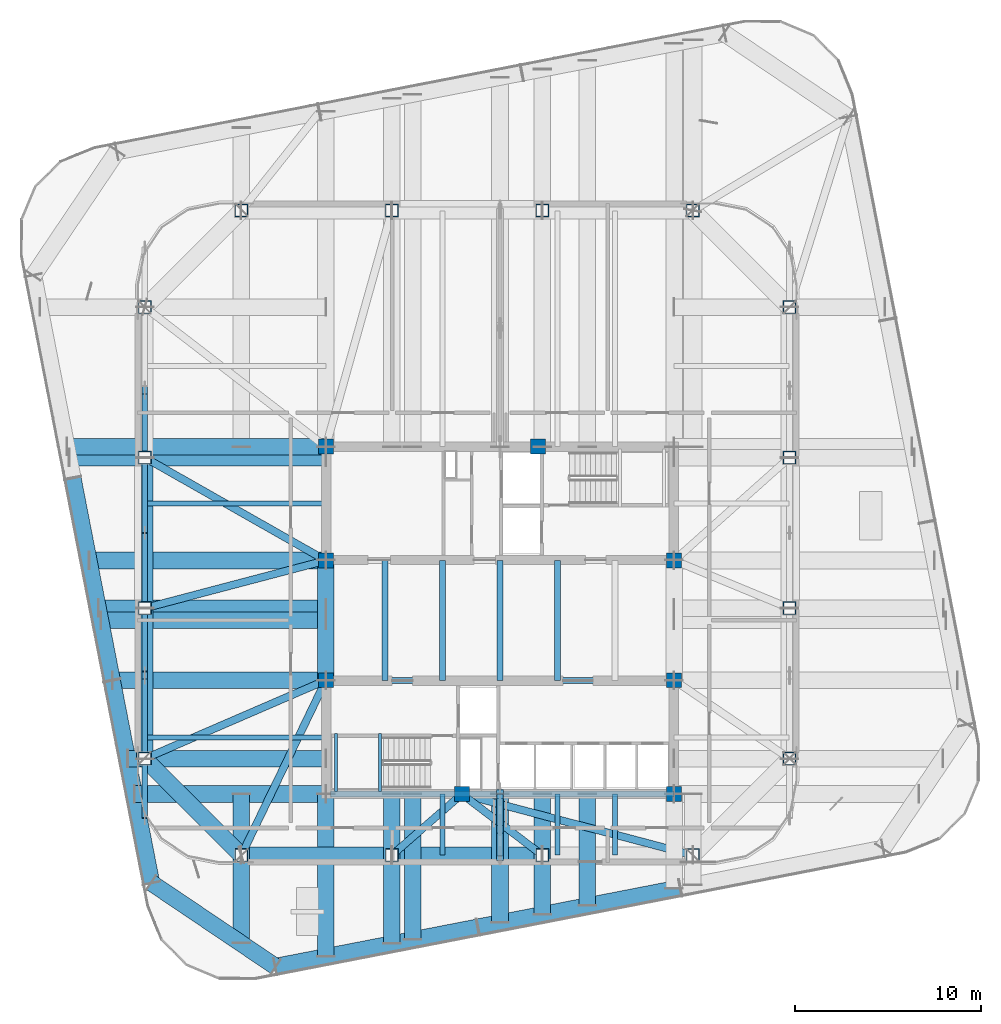
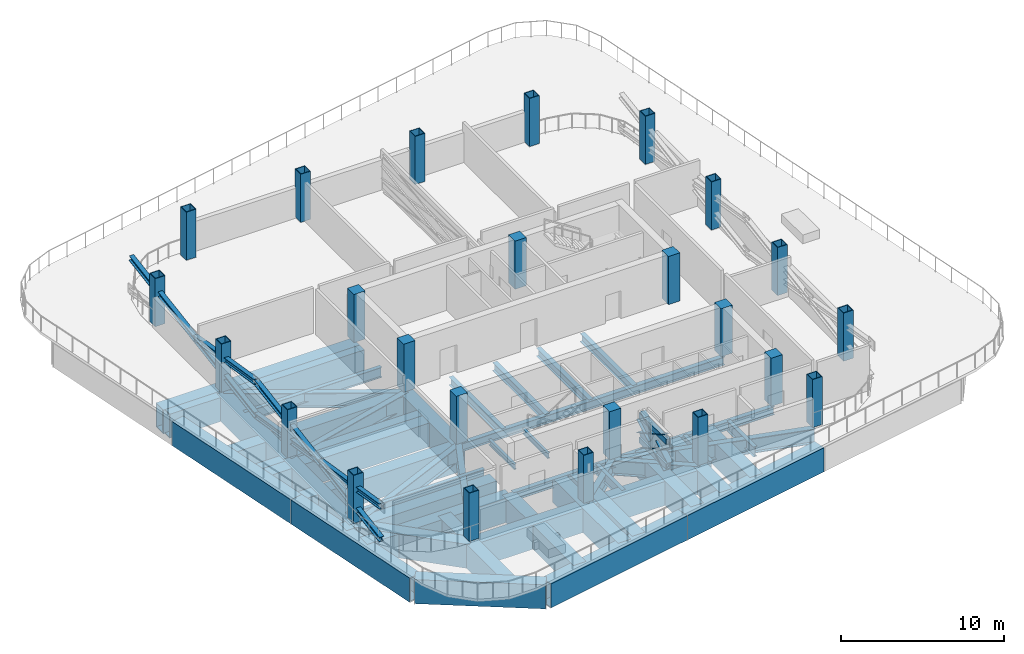
# One storey, part 1 of 14: 46 beams, 24 columns, 10 members.
"""IFC4 building model written with IfcOpenShell, lengths in metres."""

from ifc_helpers import new_model, si_unit, direction, frame, origin, origin_2d, place, context, subcontext, project, spatial, rectangle, hollow_rectangle, i_section, extrude, material, material_profile, profile_set, type_object, element, save


model = new_model("IFC4")

# Units and contexts
model_context = context("Model", 3, precision=1e-05, world=origin(), true_north=direction((0.0, 1.0)))
body_context = subcontext(model_context, "Body", "Model", "MODEL_VIEW")
ifc_project = project(units=[si_unit("LENGTHUNIT", "METRE"), si_unit("AREAUNIT", "SQUARE_METRE"), si_unit("VOLUMEUNIT", "CUBIC_METRE"), si_unit("PLANEANGLEUNIT", "RADIAN"), si_unit("MASSUNIT", "GRAM", prefix="KILO")], contexts=[model_context])

# Site, building, storey
site_placement = place(None, origin())
site = spatial("IfcSite", under=ifc_project, at=site_placement, CompositionType="ELEMENT")
building_placement = place(site_placement, origin())
building = spatial("IfcBuilding", under=site, at=building_placement, Name="Qhalaya Broadcast Tower", CompositionType="ELEMENT")
storey_placement = place(building_placement, frame((0.0, 0.0, 144.60009765625)))
storey = spatial("IfcBuildingStorey", under=building, at=storey_placement, Name="L42", CompositionType="ELEMENT", Elevation=144.60009765625)

# Columns
ifc_material_1 = material(Name="Concrete C50/60", Category="concrete")
ifc_material_profile_1 = material_profile(ifc_material_1, rectangle(XDim=0.800048828125, YDim=0.800048828125, at=origin_2d()), Name="RC-COL 800x800")
ifc_profile_set_1 = profile_set([ifc_material_profile_1], Name="Concrete C50/60")
column_type_1 = type_object("IfcColumnType", Name="RC Upper Column C10", PredefinedType="COLUMN", material=ifc_profile_set_1)
for number, where, z_axis, x_axis, name in (
    (1, (-9.375, 9.949951171875, 0.0), (0.0, 0.0, 1.0), (1.0, 0.0, 0.0), "L42 Column COL-CC1"),
    (2, (2.050048828125, 9.949951171875, 0.0), (0.0, 0.0, 1.0), (1.0, 0.0, 0.0), "L42 Column COL-CC2"),
    (3, (-9.375, 3.824951171875, 0.0), (0.0, 0.0, 1.0), (1.0, 0.0, 0.0), "L42 Column COL-CC3"),
    (4, (9.375, 3.824951171875, 0.0), (0.0, 0.0, 1.0), (1.0, 0.0, 0.0), "L42 Column COL-CC4"),
    (5, (-9.375, -2.625, 0.0), (0.0, 0.0, 1.0), (1.0, 0.0, 0.0), "L42 Column COL-CC5"),
    (6, (9.375, -2.625, 0.0), (0.0, 0.0, 1.0), (1.0, 0.0, 0.0), "L42 Column COL-CC6"),
    (7, (-2.050048828125, -8.75, 0.0), (0.0, 0.0, 1.0), (1.0, 0.0, 0.0), "L42 Column COL-CC7"),
    (8, (9.375, -8.75, 0.0), (0.0, 0.0, 1.0), (1.0, 0.0, 0.0), "L42 Column COL-CC8"),
):
    element("IfcColumn", number, at=place(storey_placement, frame(where, z_axis=z_axis, x_axis=x_axis)), inside=storey, type_object=column_type_1, Name=name, PredefinedType="COLUMN", context=body_context, shape_type="SweptSolid", body=[
        extrude(rectangle(XDim=0.800048828125, YDim=0.800048828125, at=origin_2d()), origin(), (0.0, 0.0, 1.0), 3.599853515625),
    ])
ifc_material_2 = material(Name="Structural Steel ASTM A572 Grade 50", Category="steel")
ifc_material_profile_2 = material_profile(ifc_material_2, hollow_rectangle(XDim=0.699951171875, YDim=0.699951171875, WallThickness=0.044921875, at=origin_2d()), Name="BOX 700x700x45")
ifc_profile_set_2 = profile_set([ifc_material_profile_2], Name="Structural Steel ASTM A572 Grade 50")
column_type_2 = type_object("IfcColumnType", Name="Steel Box Column C04", PredefinedType="COLUMN", material=ifc_profile_set_2)
for number, where, z_axis, x_axis, name in (
    (9, (-13.919921875, -12.0400390625, 0.0), (0.0, 0.0, 1.0), (1.0, 0.0, 0.0), "L42 Column COL-NK01"),
    (10, (-5.820068359375, -12.0400390625, 0.0), (0.0, 0.0, 1.0), (1.0, 0.0, 0.0), "L42 Column COL-NK02"),
    (11, (2.280029296875, -12.0400390625, 0.0), (0.0, 0.0, 1.0), (1.0, 0.0, 0.0), "L42 Column COL-NK03"),
    (12, (10.3798828125, -12.0400390625, 0.0), (0.0, 0.0, 1.0), (1.0, 0.0, 0.0), "L42 Column COL-NK04"),
    (13, (15.580078125, -6.840087890625, 0.0), (0.0, 0.0, 1.0), (0.0, 1.0, 0.0), "L42 Column COL-NK05"),
    (14, (15.580078125, 1.260009765625, 0.0), (0.0, 0.0, 1.0), (0.0, 1.0, 0.0), "L42 Column COL-NK06"),
    (15, (15.580078125, 9.360107421875, 0.0), (0.0, 0.0, 1.0), (0.0, 1.0, 0.0), "L42 Column COL-NK07"),
    (16, (15.580078125, 17.4599609375, 0.0), (0.0, 0.0, 1.0), (0.0, 1.0, 0.0), "L42 Column COL-NK08"),
    (17, (10.3798828125, 22.659912109375, 0.0), (0.0, 0.0, 1.0), (1.0, 0.0, 0.0), "L42 Column COL-NK09"),
    (18, (2.280029296875, 22.659912109375, 0.0), (0.0, 0.0, 1.0), (1.0, 0.0, 0.0), "L42 Column COL-NK10"),
    (19, (-5.820068359375, 22.659912109375, 0.0), (0.0, 0.0, 1.0), (1.0, 0.0, 0.0), "L42 Column COL-NK11"),
    (20, (-13.919921875, 22.659912109375, 0.0), (0.0, 0.0, 1.0), (1.0, 0.0, 0.0), "L42 Column COL-NK12"),
    (21, (-19.1201171875, 17.4599609375, 0.0), (0.0, 0.0, 1.0), (0.0, 1.0, 0.0), "L42 Column COL-NK13"),
    (22, (-19.1201171875, 9.360107421875, 0.0), (0.0, 0.0, 1.0), (0.0, 1.0, 0.0), "L42 Column COL-NK14"),
    (23, (-19.1201171875, 1.260009765625, 0.0), (0.0, 0.0, 1.0), (0.0, 1.0, 0.0), "L42 Column COL-NK15"),
    (24, (-19.1201171875, -6.840087890625, 0.0), (0.0, 0.0, 1.0), (0.0, 1.0, 0.0), "L42 Column COL-NK16"),
):
    element("IfcColumn", number, at=place(storey_placement, frame(where, z_axis=z_axis, x_axis=x_axis)), inside=storey, type_object=column_type_2, Name=name, PredefinedType="COLUMN", context=body_context, shape_type="SweptSolid", body=[
        extrude(hollow_rectangle(XDim=0.699951171875, YDim=0.699951171875, WallThickness=0.044921875, at=origin_2d()), origin(), (0.0, 0.0, 1.0), 3.599853515625),
    ])

# Members
ifc_material_profile_3 = material_profile(ifc_material_2, i_section(OverallWidth=0.31298828125, OverallDepth=0.3798828125, WebThickness=0.01806640625, FlangeThickness=0.028076171875, at=origin_2d()), Name="W12X120")
ifc_profile_set_3 = profile_set([ifc_material_profile_3], Name="Structural Steel ASTM A572 Grade 50")
member_type_1 = type_object("IfcMemberType", Name="Belt-Truss Diagonal Brace OB2", PredefinedType="BRACE", material=ifc_profile_set_3)
member_1_placement = place(storey_placement, frame((-19.1201171875, -10.0400390625, 0.449951171875), z_axis=(0.0, 0.987199046505, 0.159493080039), x_axis=(-1.0, 0.0, 0.0)))
element("IfcMember", 25, at=member_1_placement, inside=storey, type_object=member_type_1, Name="L42 Belt Truss Continuous Brace W1A", PredefinedType="BRACE", context=body_context, shape_type="SweptSolid", body=[
    extrude(i_section(OverallWidth=0.31298828125, OverallDepth=0.3798828125, WebThickness=0.01806640625, FlangeThickness=0.028076171875, at=origin_2d()), origin(), (0.0, 0.0, 1.0), 15.549072265625),
])
for number, where, z_axis, x_axis, name in (
    (26, (-19.1201171875, -10.0400390625, 2.929931640625), (0.0, 0.987200117678, -0.159486449757), (-1.0, 0.0, 0.0), "L42 Belt Truss Split Brace W1B1"),
    (27, (-19.1201171875, -2.147705078125, 1.65478515625), (0.0, 0.987200117678, -0.159486449757), (-1.0, 0.0, 0.0), "L42 Belt Truss Split Brace W1B2"),
):
    element("IfcMember", number, at=place(storey_placement, frame(where, z_axis=z_axis, x_axis=x_axis)), inside=storey, type_object=member_type_1, Name=name, PredefinedType="BRACE", context=body_context, shape_type="SweptSolid", body=[
        extrude(i_section(OverallWidth=0.31298828125, OverallDepth=0.3798828125, WebThickness=0.01806640625, FlangeThickness=0.028076171875, at=origin_2d()), origin(), (0.0, 0.0, 1.0), 7.554443359375),
    ])
member_2_placement = place(storey_placement, frame((-19.1201171875, 5.31005859375, 0.449951171875), z_axis=(0.0, 0.987198647087, 0.159495552258), x_axis=(-1.0, 0.0, 0.0)))
element("IfcMember", 28, at=member_2_placement, inside=storey, type_object=member_type_1, Name="L42 Belt Truss Continuous Brace W2A", PredefinedType="BRACE", context=body_context, shape_type="SweptSolid", body=[
    extrude(i_section(OverallWidth=0.31298828125, OverallDepth=0.3798828125, WebThickness=0.01806640625, FlangeThickness=0.028076171875, at=origin_2d()), origin(), (0.0, 0.0, 1.0), 15.548828125),
])
member_3_placement = place(storey_placement, frame((-19.1201171875, 5.31005859375, 2.929931640625), z_axis=(0.0, 0.987200117678, -0.159486449757), x_axis=(-1.0, 0.0, 0.0)))
element("IfcMember", 29, at=member_3_placement, inside=storey, type_object=member_type_1, Name="L42 Belt Truss Split Brace W2B1", PredefinedType="BRACE", context=body_context, shape_type="SweptSolid", body=[
    extrude(i_section(OverallWidth=0.31298828125, OverallDepth=0.3798828125, WebThickness=0.01806640625, FlangeThickness=0.028076171875, at=origin_2d()), origin(), (0.0, 0.0, 1.0), 7.554443359375),
])

# Beams
ifc_material_profile_4 = material_profile(ifc_material_2, hollow_rectangle(XDim=0.89990234375, YDim=1.800048828125, WallThickness=0.06005859375, at=origin_2d()), Name="BOX 900x1800x60")
ifc_profile_set_4 = profile_set([ifc_material_profile_4], Name="Structural Steel ASTM A572 Grade 50")
beam_type_1 = type_object("IfcBeamType", Name="Block Cantilever Transfer Box Girder TG1", PredefinedType="USERDEFINED", material=ifc_profile_set_4)
beam_1_placement = place(storey_placement, frame((-13.919921875, -12.0400390625, -1.18017578125), z_axis=(1.0, 0.0, 0.0), x_axis=(0.0, 1.0, 0.0)))
element("IfcBeam", 30, at=beam_1_placement, inside=storey, type_object=beam_type_1, Name="L42 TG1 L42-SPR-01", ObjectType="GIRDER", PredefinedType="USERDEFINED", context=body_context, shape_type="SweptSolid", body=[
    extrude(hollow_rectangle(XDim=0.89990234375, YDim=1.800048828125, WallThickness=0.06005859375, at=origin_2d()), origin(), (0.0, 0.0, 1.0), 8.099853515625),
])
for number, where, z_axis, x_axis, name in (
    (31, (-5.820068359375, -12.0400390625, -1.18017578125), (1.0, 0.0, 0.0), (0.0, 1.0, 0.0), "L42 TG1 L42-SPR-02"),
    (32, (-19.1201171875, 9.360107421875, -1.18017578125), (0.0, -1.0, 0.0), (1.0, 0.0, 0.0), "L42 TG1 L42-SPR-14"),
    (33, (-19.1201171875, 1.260009765625, -1.18017578125), (0.0, -1.0, 0.0), (1.0, 0.0, 0.0), "L42 TG1 L42-SPR-15"),
):
    element("IfcBeam", number, at=place(storey_placement, frame(where, z_axis=z_axis, x_axis=x_axis)), inside=storey, type_object=beam_type_1, Name=name, ObjectType="GIRDER", PredefinedType="USERDEFINED", context=body_context, shape_type="SweptSolid", body=[
        extrude(hollow_rectangle(XDim=0.89990234375, YDim=1.800048828125, WallThickness=0.06005859375, at=origin_2d()), origin(), (0.0, 0.0, 1.0), 8.10009765625),
    ])
beam_2_placement = place(storey_placement, frame((-19.1201171875, -6.840087890625, -1.18017578125), z_axis=(0.707123380132, -0.707090181851, 0.0), x_axis=(0.707090181851, 0.707123380132, 0.0)))
element("IfcBeam", 34, at=beam_2_placement, inside=storey, type_object=beam_type_1, Name="L42 TG1 L42-SPR-16", ObjectType="GIRDER", PredefinedType="USERDEFINED", context=body_context, shape_type="SweptSolid", body=[
    extrude(hollow_rectangle(XDim=0.89990234375, YDim=1.800048828125, WallThickness=0.06005859375, at=origin_2d()), origin(), (0.0, 0.0, 1.0), 7.35400390625),
])
beam_3_placement = place(storey_placement, frame((-12.07958984375, -18.036376953125, -1.18017578125), z_axis=(0.98162878008, 0.190800781233, 0.0), x_axis=(-0.190800781233, 0.98162878008, 0.0)))
element("IfcBeam", 35, at=beam_3_placement, inside=storey, type_object=beam_type_1, Name="L42 TG1 L42-TGL-01", ObjectType="GIRDER", PredefinedType="USERDEFINED", context=body_context, shape_type="SweptSolid", body=[
    extrude(hollow_rectangle(XDim=0.89990234375, YDim=1.800048828125, WallThickness=0.06005859375, at=origin_2d()), origin(), (0.0, 0.0, 1.0), 11.10009765625),
])
for number, where, z_axis, x_axis, name in (
    (36, (-1.183349609375, -15.91845703125, -1.18017578125), (0.981623859527, 0.190826094673, 0.0), (-0.190826094673, 0.981623859527, 0.0), "L42 TG1 L42-TGL-02"),
    (37, (-22.998291015625, 8.263427734375, -1.18017578125), (0.190804900759, -0.981627979352, 0.0), (0.981627979352, 0.190804900759, 0.0), "L42 TG1 L42-TGL-14"),
):
    element("IfcBeam", number, at=place(storey_placement, frame(where, z_axis=z_axis, x_axis=x_axis)), inside=storey, type_object=beam_type_1, Name=name, ObjectType="GIRDER", PredefinedType="USERDEFINED", context=body_context, shape_type="SweptSolid", body=[
        extrude(hollow_rectangle(XDim=0.89990234375, YDim=1.800048828125, WallThickness=0.06005859375, at=origin_2d()), origin(), (0.0, 0.0, 1.0), 11.099853515625),
    ])
beam_4_placement = place(storey_placement, frame((-20.88037109375, -2.632568359375, -1.18017578125), z_axis=(0.190800781233, -0.98162878008, 0.0), x_axis=(0.98162878008, 0.190800781233, 0.0)))
element("IfcBeam", 38, at=beam_4_placement, inside=storey, type_object=beam_type_1, Name="L42 TG1 L42-TGL-15", ObjectType="GIRDER", PredefinedType="USERDEFINED", context=body_context, shape_type="SweptSolid", body=[
    extrude(hollow_rectangle(XDim=0.89990234375, YDim=1.800048828125, WallThickness=0.06005859375, at=origin_2d()), origin(), (0.0, 0.0, 1.0), 11.10009765625),
])
beam_5_placement = place(storey_placement, frame((-18.762451171875, -13.52880859375, -1.18017578125), z_axis=(0.829042088473, -0.559186208288, 0.0), x_axis=(0.559186208288, 0.829042088473, 0.0)))
element("IfcBeam", 39, at=beam_5_placement, inside=storey, type_object=beam_type_1, Name="L42 TG1 L42-TGL-16", ObjectType="GIRDER", PredefinedType="USERDEFINED", context=body_context, shape_type="SweptSolid", body=[
    extrude(hollow_rectangle(XDim=0.89990234375, YDim=1.800048828125, WallThickness=0.06005859375, at=origin_2d()), origin(), (0.0, 0.0, 1.0), 8.06103515625),
])
beam_6_placement = place(storey_placement, frame((0.0, -15.647705078125, -1.18017578125), z_axis=(0.0, 1.0, 0.0), x_axis=(-1.0, 0.0, 0.0)))
element("IfcBeam", 40, at=beam_6_placement, inside=storey, type_object=beam_type_1, Name="L42 TG1 L42-TGIMS-1", ObjectType="GIRDER", PredefinedType="USERDEFINED", context=body_context, shape_type="SweptSolid", body=[
    extrude(hollow_rectangle(XDim=0.89990234375, YDim=1.800048828125, WallThickness=0.06005859375, at=origin_2d()), origin(), (0.0, 0.0, 1.0), 6.897705078125),
])
beam_7_placement = place(storey_placement, frame((-4.699951171875, -16.561279296875, -1.18017578125), z_axis=(0.0, 1.0, 0.0), x_axis=(-1.0, 0.0, 0.0)))
element("IfcBeam", 41, at=beam_7_placement, inside=storey, type_object=beam_type_1, Name="L42 TG1 L42-TGIMSW-1", ObjectType="GIRDER", PredefinedType="USERDEFINED", context=body_context, shape_type="SweptSolid", body=[
    extrude(hollow_rectangle(XDim=0.89990234375, YDim=1.800048828125, WallThickness=0.06005859375, at=origin_2d()), origin(), (0.0, 0.0, 1.0), 7.811279296875),
])
beam_8_placement = place(storey_placement, frame((4.699951171875, -14.73388671875, -1.18017578125), z_axis=(0.0, 1.0, 0.0), x_axis=(-1.0, 0.0, 0.0)))
element("IfcBeam", 42, at=beam_8_placement, inside=storey, type_object=beam_type_1, Name="L42 TG1 L42-TGIMSE-1", ObjectType="GIRDER", PredefinedType="USERDEFINED", context=body_context, shape_type="SweptSolid", body=[
    extrude(hollow_rectangle(XDim=0.89990234375, YDim=1.800048828125, WallThickness=0.06005859375, at=origin_2d()), origin(), (0.0, 0.0, 1.0), 5.98388671875),
])
beam_9_placement = place(storey_placement, frame((-21.468017578125, 0.60009765625, -1.18017578125), z_axis=(1.0, 0.0, 0.0), x_axis=(0.0, 1.0, 0.0)))
element("IfcBeam", 43, at=beam_9_placement, inside=storey, type_object=beam_type_1, Name="L42 TG1 L42-TGIYW-1", ObjectType="GIRDER", PredefinedType="USERDEFINED", context=body_context, shape_type="SweptSolid", body=[
    extrude(hollow_rectangle(XDim=0.89990234375, YDim=1.800048828125, WallThickness=0.06005859375, at=origin_2d()), origin(), (0.0, 0.0, 1.0), 12.093017578125),
])
beam_10_placement = place(storey_placement, frame((-9.375, -17.469970703125, -1.18017578125), z_axis=(0.0, 1.0, 0.0), x_axis=(-1.0, 0.0, 0.0)))
element("IfcBeam", 44, at=beam_10_placement, inside=storey, type_object=beam_type_1, Name="L42 TG1 L42-TGISW-1", ObjectType="GIRDER", PredefinedType="USERDEFINED", context=body_context, shape_type="SweptSolid", body=[
    extrude(hollow_rectangle(XDim=0.89990234375, YDim=1.800048828125, WallThickness=0.06005859375, at=origin_2d()), origin(), (0.0, 0.0, 1.0), 8.719970703125),
])
beam_11_placement = place(storey_placement, frame((-9.375, -2.625, -1.18017578125), z_axis=(0.0, 1.0, 0.0), x_axis=(-1.0, 0.0, 0.0)))
element("IfcBeam", 45, at=beam_11_placement, inside=storey, type_object=beam_type_1, Name="L42 TG1 L42-TGIMW-1", ObjectType="GIRDER", PredefinedType="USERDEFINED", context=body_context, shape_type="SweptSolid", body=[
    extrude(hollow_rectangle(XDim=0.89990234375, YDim=1.800048828125, WallThickness=0.06005859375, at=origin_2d()), origin(), (0.0, 0.0, 1.0), 6.449951171875),
])
beam_12_placement = place(storey_placement, frame((-19.650390625, -8.75, -1.18017578125), z_axis=(1.0, 0.0, 0.0), x_axis=(0.0, 1.0, 0.0)))
element("IfcBeam", 46, at=beam_12_placement, inside=storey, type_object=beam_type_1, Name="L42 TG1 L42-TGIY1W-1", ObjectType="GIRDER", PredefinedType="USERDEFINED", context=body_context, shape_type="SweptSolid", body=[
    extrude(hollow_rectangle(XDim=0.89990234375, YDim=1.800048828125, WallThickness=0.06005859375, at=origin_2d()), origin(), (0.0, 0.0, 1.0), 10.275390625),
])
beam_13_placement = place(storey_placement, frame((-20.841064453125, -2.625, -1.18017578125), z_axis=(1.0, 0.0, 0.0), x_axis=(0.0, 1.0, 0.0)))
element("IfcBeam", 47, at=beam_13_placement, inside=storey, type_object=beam_type_1, Name="L42 TG1 L42-TGIY2W-1", ObjectType="GIRDER", PredefinedType="USERDEFINED", context=body_context, shape_type="SweptSolid", body=[
    extrude(hollow_rectangle(XDim=0.89990234375, YDim=1.800048828125, WallThickness=0.06005859375, at=origin_2d()), origin(), (0.0, 0.0, 1.0), 11.466064453125),
])
beam_14_placement = place(storey_placement, frame((-22.094970703125, 3.824951171875, -1.18017578125), z_axis=(1.0, 0.0, 0.0), x_axis=(0.0, 1.0, 0.0)))
element("IfcBeam", 48, at=beam_14_placement, inside=storey, type_object=beam_type_1, Name="L42 TG1 L42-TGIY3W-1", ObjectType="GIRDER", PredefinedType="USERDEFINED", context=body_context, shape_type="SweptSolid", body=[
    extrude(hollow_rectangle(XDim=0.89990234375, YDim=1.800048828125, WallThickness=0.06005859375, at=origin_2d()), origin(), (0.0, 0.0, 1.0), 12.719970703125),
])
beam_15_placement = place(storey_placement, frame((-23.285400390625, 9.949951171875, -1.18017578125), z_axis=(1.0, 0.0, 0.0), x_axis=(0.0, 1.0, 0.0)))
element("IfcBeam", 49, at=beam_15_placement, inside=storey, type_object=beam_type_1, Name="L42 TG1 L42-TGIY4W-1", ObjectType="GIRDER", PredefinedType="USERDEFINED", context=body_context, shape_type="SweptSolid", body=[
    extrude(hollow_rectangle(XDim=0.89990234375, YDim=1.800048828125, WallThickness=0.06005859375, at=origin_2d()), origin(), (0.0, 0.0, 1.0), 13.910400390625),
])
beam_16_placement = place(storey_placement, frame((-13.919921875, -16.74658203125, -1.18017578125), z_axis=(0.0, 1.0, 0.0), x_axis=(-1.0, 0.0, 0.0)))
element("IfcBeam", 50, at=beam_16_placement, inside=storey, type_object=beam_type_1, Name="L42 Spanning Transfer Box Girder 01", ObjectType="GIRDER", PredefinedType="USERDEFINED", context=body_context, shape_type="SweptSolid", body=[
    extrude(hollow_rectangle(XDim=0.89990234375, YDim=1.800048828125, WallThickness=0.06005859375, at=origin_2d()), origin(), (0.0, 0.0, 1.0), 7.99658203125),
])
beam_17_placement = place(storey_placement, frame((-5.820068359375, -16.77880859375, -1.18017578125), z_axis=(0.0, 1.0, 0.0), x_axis=(-1.0, 0.0, 0.0)))
element("IfcBeam", 51, at=beam_17_placement, inside=storey, type_object=beam_type_1, Name="L42 Spanning Transfer Box Girder 02", ObjectType="GIRDER", PredefinedType="USERDEFINED", context=body_context, shape_type="SweptSolid", body=[
    extrude(hollow_rectangle(XDim=0.89990234375, YDim=1.800048828125, WallThickness=0.06005859375, at=origin_2d()), origin(), (0.0, 0.0, 1.0), 8.02880859375),
])
beam_18_placement = place(storey_placement, frame((2.280029296875, -15.204345703125, -1.18017578125), z_axis=(0.0, 1.0, 0.0), x_axis=(-1.0, 0.0, 0.0)))
element("IfcBeam", 52, at=beam_18_placement, inside=storey, type_object=beam_type_1, Name="L42 Spanning Transfer Box Girder 03", ObjectType="GIRDER", PredefinedType="USERDEFINED", context=body_context, shape_type="SweptSolid", body=[
    extrude(hollow_rectangle(XDim=0.89990234375, YDim=1.800048828125, WallThickness=0.06005859375, at=origin_2d()), origin(), (0.0, 0.0, 1.0), 6.454345703125),
])
beam_19_placement = place(storey_placement, frame((-23.1708984375, 9.360107421875, -1.18017578125), z_axis=(1.0, 0.0, 0.0), x_axis=(0.0, 1.0, 0.0)))
element("IfcBeam", 53, at=beam_19_placement, inside=storey, type_object=beam_type_1, Name="L42 Spanning Transfer Box Girder 14", ObjectType="GIRDER", PredefinedType="USERDEFINED", context=body_context, shape_type="SweptSolid", body=[
    extrude(hollow_rectangle(XDim=0.89990234375, YDim=1.800048828125, WallThickness=0.06005859375, at=origin_2d()), origin(), (0.0, 0.0, 1.0), 13.7958984375),
])
beam_20_placement = place(storey_placement, frame((-21.59619140625, 1.260009765625, -1.18017578125), z_axis=(1.0, 0.0, 0.0), x_axis=(0.0, 1.0, 0.0)))
element("IfcBeam", 54, at=beam_20_placement, inside=storey, type_object=beam_type_1, Name="L42 Spanning Transfer Box Girder 15", ObjectType="GIRDER", PredefinedType="USERDEFINED", context=body_context, shape_type="SweptSolid", body=[
    extrude(hollow_rectangle(XDim=0.89990234375, YDim=1.800048828125, WallThickness=0.06005859375, at=origin_2d()), origin(), (0.0, 0.0, 1.0), 12.22119140625),
])
beam_21_placement = place(storey_placement, frame((-20.021728515625, -6.840087890625, -1.18017578125), z_axis=(1.0, 0.0, 0.0), x_axis=(0.0, 1.0, 0.0)))
element("IfcBeam", 55, at=beam_21_placement, inside=storey, type_object=beam_type_1, Name="L42 Spanning Transfer Box Girder 16", ObjectType="GIRDER", PredefinedType="USERDEFINED", context=body_context, shape_type="SweptSolid", body=[
    extrude(hollow_rectangle(XDim=0.89990234375, YDim=1.800048828125, WallThickness=0.06005859375, at=origin_2d()), origin(), (0.0, 0.0, 1.0), 10.646728515625),
])
ifc_material_3 = material(Name="Structural Steel ASTM A992 Grade 50", Category="steel")
ifc_material_profile_5 = material_profile(ifc_material_3, i_section(OverallWidth=0.323974609375, OverallDepth=0.612060546875, WebThickness=0.0126953125, FlangeThickness=0.01904296875, at=origin_2d()), Name="W24X104")
ifc_profile_set_5 = profile_set([ifc_material_profile_5], Name="Structural Steel ASTM A992 Grade 50")
beam_type_2 = type_object("IfcBeamType", Name="Core Frame Tie Beam B04", PredefinedType="BEAM", material=ifc_profile_set_5)
beam_22_placement = place(storey_placement, frame((-9.375, -2.625, -0.586181640625), z_axis=(1.0, 0.0, 0.0), x_axis=(0.0, 1.0, 0.0)))
element("IfcBeam", 56, at=beam_22_placement, inside=storey, type_object=beam_type_2, Name="L42 B04 L42-CCS1", PredefinedType="BEAM", context=body_context, shape_type="SweptSolid", body=[
    extrude(i_section(OverallWidth=0.323974609375, OverallDepth=0.612060546875, WebThickness=0.0126953125, FlangeThickness=0.01904296875, at=origin_2d()), origin(), (0.0, 0.0, 1.0), 18.75),
])
beam_23_placement = place(storey_placement, frame((-9.1201171875, -8.75, -0.586181640625), z_axis=(1.0, 0.0, 0.0), x_axis=(0.0, 1.0, 0.0)))
element("IfcBeam", 57, at=beam_23_placement, inside=storey, type_object=beam_type_2, Name="L42 B04 L42-CCS3", PredefinedType="BEAM", context=body_context, shape_type="SweptSolid", body=[
    extrude(i_section(OverallWidth=0.323974609375, OverallDepth=0.612060546875, WebThickness=0.0126953125, FlangeThickness=0.01904296875, at=origin_2d()), origin(), (0.0, 0.0, 1.0), 18.4951171875),
])
for number, where, z_axis, x_axis, name in (
    (58, (-6.199951171875, -2.625, -0.586181640625), (0.0, 1.0, 0.0), (-1.0, 0.0, 0.0), "L42 B04 L42-JC1-1"),
    (59, (-3.10009765625, -2.625, -0.586181640625), (0.0, 1.0, 0.0), (-1.0, 0.0, 0.0), "L42 B04 L42-JC2-1"),
    (60, (0.0, -2.625, -0.586181640625), (0.0, 1.0, 0.0), (-1.0, 0.0, 0.0), "L42 B04 L42-JC3-1"),
    (61, (3.10009765625, -2.625, -0.586181640625), (0.0, 1.0, 0.0), (-1.0, 0.0, 0.0), "L42 B04 L42-JC4-1"),
):
    element("IfcBeam", number, at=place(storey_placement, frame(where, z_axis=z_axis, x_axis=x_axis)), inside=storey, type_object=beam_type_2, Name=name, PredefinedType="BEAM", context=body_context, shape_type="SweptSolid", body=[
        extrude(i_section(OverallWidth=0.323974609375, OverallDepth=0.612060546875, WebThickness=0.0126953125, FlangeThickness=0.01904296875, at=origin_2d()), origin(), (0.0, 0.0, 1.0), 6.449951171875),
    ])

# Members
ifc_material_profile_6 = material_profile(ifc_material_2, i_section(OverallWidth=0.40087890625, OverallDepth=1.0009765625, WebThickness=0.01904296875, FlangeThickness=0.0361328125, at=origin_2d()), Name="W40X249")
ifc_profile_set_6 = profile_set([ifc_material_profile_6], Name="Structural Steel ASTM A572 Grade 50")
member_type_2 = type_object("IfcMemberType", Name="Core-to-Perimeter Outrigger Brace OB1", PredefinedType="BRACE", material=ifc_profile_set_6)
member_4_placement = place(storey_placement, frame((0.0, -8.75, 0.449951171875), z_axis=(0.0, -0.874795942387, 0.48449154707), x_axis=(1.0, 0.0, 0.0)))
element("IfcMember", 62, at=member_4_placement, inside=storey, type_object=member_type_2, Name="L42 Outrigger Continuous Diagonal SCA", PredefinedType="BRACE", context=body_context, shape_type="SweptSolid", body=[
    extrude(i_section(OverallWidth=0.40087890625, OverallDepth=1.0009765625, WebThickness=0.01904296875, FlangeThickness=0.0361328125, at=origin_2d()), origin(), (0.0, 0.0, 1.0), 3.818115234375),
])
for number, where, z_axis, x_axis, name in (
    (63, (0.0, -8.75, 2.2998046875), (0.0, -0.874825688725, -0.484437833315), (1.0, 0.0, 0.0), "L42 Outrigger Split Diagonal SCB1"),
    (64, (0.0, -10.6298828125, 1.258544921875), (0.0, -0.874825688725, -0.484437833315), (1.0, 0.0, 0.0), "L42 Outrigger Split Diagonal SCB2"),
):
    element("IfcMember", number, at=place(storey_placement, frame(where, z_axis=z_axis, x_axis=x_axis)), inside=storey, type_object=member_type_2, Name=name, PredefinedType="BRACE", context=body_context, shape_type="SweptSolid", body=[
        extrude(i_section(OverallWidth=0.40087890625, OverallDepth=1.0009765625, WebThickness=0.01904296875, FlangeThickness=0.0361328125, at=origin_2d()), origin(), (0.0, 0.0, 1.0), 1.669189453125),
    ])
ifc_material_profile_7 = material_profile(ifc_material_2, hollow_rectangle(XDim=0.300048828125, YDim=0.39990234375, WallThickness=0.02001953125, at=origin_2d()), Name="HSS 300x400x20")
ifc_profile_set_7 = profile_set([ifc_material_profile_7], Name="Structural Steel ASTM A572 Grade 50")
member_type_3 = type_object("IfcMemberType", Name="Outrigger & Belt-Truss Chord CH1", PredefinedType="CHORD", material=ifc_profile_set_7)
for number, where, z_axis, x_axis, name in (
    (65, (0.0, -8.75, 0.449951171875), (0.0, -1.0, 0.0), (1.0, 0.0, 0.0), "L42 Outrigger Bottom Chord SC"),
    (66, (0.0, -8.75, 2.2998046875), (0.0, -1.0, 0.0), (1.0, 0.0, 0.0), "L42 Outrigger Top Chord SC"),
):
    element("IfcMember", number, at=place(storey_placement, frame(where, z_axis=z_axis, x_axis=x_axis)), inside=storey, type_object=member_type_3, Name=name, PredefinedType="CHORD", context=body_context, shape_type="SweptSolid", body=[
        extrude(hollow_rectangle(XDim=0.300048828125, YDim=0.39990234375, WallThickness=0.02001953125, at=origin_2d()), origin(), (0.0, 0.0, 1.0), 3.340087890625),
    ])

# Beams
ifc_material_profile_8 = material_profile(ifc_material_3, i_section(OverallWidth=0.26708984375, OverallDepth=0.761962890625, WebThickness=0.014404296875, FlangeThickness=0.021484375, at=origin_2d()), Name="W30X116")
ifc_profile_set_8 = profile_set([ifc_material_profile_8], Name="Structural Steel ASTM A992 Grade 50")
beam_type_3 = type_object("IfcBeamType", Name="Plant & Server Floor Beam B02", PredefinedType="BEAM", material=ifc_profile_set_8)
for number, where, z_axis, x_axis, name in (
    (67, (-3.10009765625, -12.02001953125, -0.6611328125), (0.0, 1.0, 0.0), (-1.0, 0.0, 0.0), "L42 B02 L42-JNS2-1"),
    (68, (3.10009765625, -12.02001953125, -0.6611328125), (0.0, 1.0, 0.0), (-1.0, 0.0, 0.0), "L42 B02 L42-JNS4-1"),
    (69, (6.199951171875, -12.02001953125, -0.6611328125), (0.0, 1.0, 0.0), (-1.0, 0.0, 0.0), "L42 B02 L42-JNS5-1"),
):
    element("IfcBeam", number, at=place(storey_placement, frame(where, z_axis=z_axis, x_axis=x_axis)), inside=storey, type_object=beam_type_3, Name=name, PredefinedType="BEAM", context=body_context, shape_type="SweptSolid", body=[
        extrude(i_section(OverallWidth=0.26708984375, OverallDepth=0.761962890625, WebThickness=0.014404296875, FlangeThickness=0.021484375, at=origin_2d()), origin(), (0.0, 0.0, 1.0), 3.27001953125),
    ])
for number, where, z_axis, x_axis, name in (
    (70, (-19.10009765625, -5.699951171875, -0.6611328125), (1.0, 0.0, 0.0), (0.0, 1.0, 0.0), "L42 B02 L42-JWE3W-1"),
    (71, (-19.10009765625, 6.89990234375, -0.6611328125), (1.0, 0.0, 0.0), (0.0, 1.0, 0.0), "L42 B02 L42-JWE5W-1"),
):
    element("IfcBeam", number, at=place(storey_placement, frame(where, z_axis=z_axis, x_axis=x_axis)), inside=storey, type_object=beam_type_3, Name=name, PredefinedType="BEAM", context=body_context, shape_type="SweptSolid", body=[
        extrude(i_section(OverallWidth=0.26708984375, OverallDepth=0.761962890625, WebThickness=0.014404296875, FlangeThickness=0.021484375, at=origin_2d()), origin(), (0.0, 0.0, 1.0), 9.72509765625),
    ])
ifc_material_profile_9 = material_profile(ifc_material_3, i_section(OverallWidth=0.404052734375, OverallDepth=1.117919921875, WebThickness=0.026123046875, FlangeThickness=0.044921875, at=origin_2d()), Name="W44X335")
ifc_profile_set_9 = profile_set([ifc_material_profile_9], Name="Structural Steel ASTM A992 Grade 50")
beam_type_4 = type_object("IfcBeamType", Name="Podium Long-Span Primary Girder PG1", PredefinedType="USERDEFINED", material=ifc_profile_set_9)
beam_24_placement = place(storey_placement, frame((-9.375, -2.625, -0.839111328125), z_axis=(-0.434728167911, -0.900561724717, 0.0), x_axis=(0.900561724717, -0.434728167911, 0.0)))
element("IfcBeam", 72, at=beam_24_placement, inside=storey, type_object=beam_type_4, Name="L42 Column-to-Column Moment Tie Girder 01-1", ObjectType="GIRDER", PredefinedType="USERDEFINED", context=body_context, shape_type="SweptSolid", body=[
    extrude(i_section(OverallWidth=0.404052734375, OverallDepth=1.117919921875, WebThickness=0.026123046875, FlangeThickness=0.044921875, at=origin_2d()), origin(), (0.0, 0.0, 1.0), 10.45458984375),
])
beam_25_placement = place(storey_placement, frame((-2.050048828125, -8.75, -0.839111328125), z_axis=(-0.753440478662, -0.65751611776, 0.0), x_axis=(0.65751611776, -0.753440478662, 0.0)))
element("IfcBeam", 73, at=beam_25_placement, inside=storey, type_object=beam_type_4, Name="L42 Column-to-Column Moment Tie Girder 02-1", ObjectType="GIRDER", PredefinedType="USERDEFINED", context=body_context, shape_type="SweptSolid", body=[
    extrude(i_section(OverallWidth=0.404052734375, OverallDepth=1.117919921875, WebThickness=0.026123046875, FlangeThickness=0.044921875, at=origin_2d()), origin(), (0.0, 0.0, 1.0), 5.003662109375),
])
beam_26_placement = place(storey_placement, frame((-2.050048828125, -8.75, -0.839111328125), z_axis=(0.796234856092, -0.604987647761, 0.0), x_axis=(0.604987647761, 0.796234856092, 0.0)))
element("IfcBeam", 74, at=beam_26_placement, inside=storey, type_object=beam_type_4, Name="L42 Column-to-Column Moment Tie Girder 03-1", ObjectType="GIRDER", PredefinedType="USERDEFINED", context=body_context, shape_type="SweptSolid", body=[
    extrude(i_section(OverallWidth=0.404052734375, OverallDepth=1.117919921875, WebThickness=0.026123046875, FlangeThickness=0.044921875, at=origin_2d()), origin(), (0.0, 0.0, 1.0), 5.438232421875),
])
beam_27_placement = place(storey_placement, frame((-2.050048828125, -8.75, -0.839111328125), z_axis=(0.966709786546, -0.255875337998, 0.0), x_axis=(0.255875337998, 0.966709786546, 0.0)))
element("IfcBeam", 75, at=beam_27_placement, inside=storey, type_object=beam_type_4, Name="L42 Column-to-Column Moment Tie Girder 04-3", ObjectType="GIRDER", PredefinedType="USERDEFINED", context=body_context, shape_type="SweptSolid", body=[
    extrude(i_section(OverallWidth=0.404052734375, OverallDepth=1.117919921875, WebThickness=0.026123046875, FlangeThickness=0.044921875, at=origin_2d()), origin(), (0.0, 0.0, 1.0), 12.85791015625),
])
beam_28_placement = place(storey_placement, frame((-9.375, 3.824951171875, -0.839111328125), z_axis=(-0.869527148505, 0.49388514658, 0.0), x_axis=(-0.49388514658, -0.869527148505, 0.0)))
element("IfcBeam", 76, at=beam_28_placement, inside=storey, type_object=beam_type_4, Name="L42 Column-to-Column Moment Tie Girder 14-2", ObjectType="GIRDER", PredefinedType="USERDEFINED", context=body_context, shape_type="SweptSolid", body=[
    extrude(i_section(OverallWidth=0.404052734375, OverallDepth=1.117919921875, WebThickness=0.026123046875, FlangeThickness=0.044921875, at=origin_2d()), origin(), (0.0, 0.0, 1.0), 11.207275390625),
])
beam_29_placement = place(storey_placement, frame((-9.375, 3.824951171875, -0.839111328125), z_axis=(-0.967063866281, -0.254533845554, 0.0), x_axis=(0.254533845554, -0.967063866281, 0.0)))
element("IfcBeam", 77, at=beam_29_placement, inside=storey, type_object=beam_type_4, Name="L42 Column-to-Column Moment Tie Girder 15-1", ObjectType="GIRDER", PredefinedType="USERDEFINED", context=body_context, shape_type="SweptSolid", body=[
    extrude(i_section(OverallWidth=0.404052734375, OverallDepth=1.117919921875, WebThickness=0.026123046875, FlangeThickness=0.044921875, at=origin_2d()), origin(), (0.0, 0.0, 1.0), 10.076904296875),
])
beam_30_placement = place(storey_placement, frame((-9.375, -2.625, -0.839111328125), z_axis=(-0.91782329887, -0.396989158608, 0.0), x_axis=(0.396989158608, -0.91782329887, 0.0)))
element("IfcBeam", 78, at=beam_30_placement, inside=storey, type_object=beam_type_4, Name="L42 Column-to-Column Moment Tie Girder 16-1", ObjectType="GIRDER", PredefinedType="USERDEFINED", context=body_context, shape_type="SweptSolid", body=[
    extrude(i_section(OverallWidth=0.404052734375, OverallDepth=1.117919921875, WebThickness=0.026123046875, FlangeThickness=0.044921875, at=origin_2d()), origin(), (0.0, 0.0, 1.0), 10.61767578125),
])
ifc_material_profile_10 = material_profile(ifc_material_3, i_section(OverallWidth=0.177978515625, OverallDepth=0.406005859375, WebThickness=0.0078125, FlangeThickness=0.0126953125, at=origin_2d()), Name="W16X40")
ifc_profile_set_10 = profile_set([ifc_material_profile_10], Name="Structural Steel ASTM A992 Grade 50")
beam_type_5 = type_object("IfcBeamType", Name="Upper Perimeter Spandrel Beam SP2", PredefinedType="SPANDREL", material=ifc_profile_set_10)
for number, where, z_axis, x_axis, name in (
    (79, (-8.830078125, -8.6201171875, 1.39697265625), (0.0, 1.0, 0.0), (-1.0, 0.0, 0.0), "L42 ST-2 Half-Landing Bearer Beam 1"),
    (80, (-6.455078125, -8.6201171875, 1.39697265625), (0.0, 1.0, 0.0), (-1.0, 0.0, 0.0), "L42 ST-2 Half-Landing Bearer Beam 2"),
):
    element("IfcBeam", number, at=place(storey_placement, frame(where, z_axis=z_axis, x_axis=x_axis)), inside=storey, type_object=beam_type_5, Name=name, PredefinedType="SPANDREL", context=body_context, shape_type="SweptSolid", body=[
        extrude(i_section(OverallWidth=0.177978515625, OverallDepth=0.406005859375, WebThickness=0.0078125, FlangeThickness=0.0126953125, at=origin_2d()), origin(), (0.0, 0.0, 1.0), 3.1201171875),
    ])

save(model, "model.ifc")
